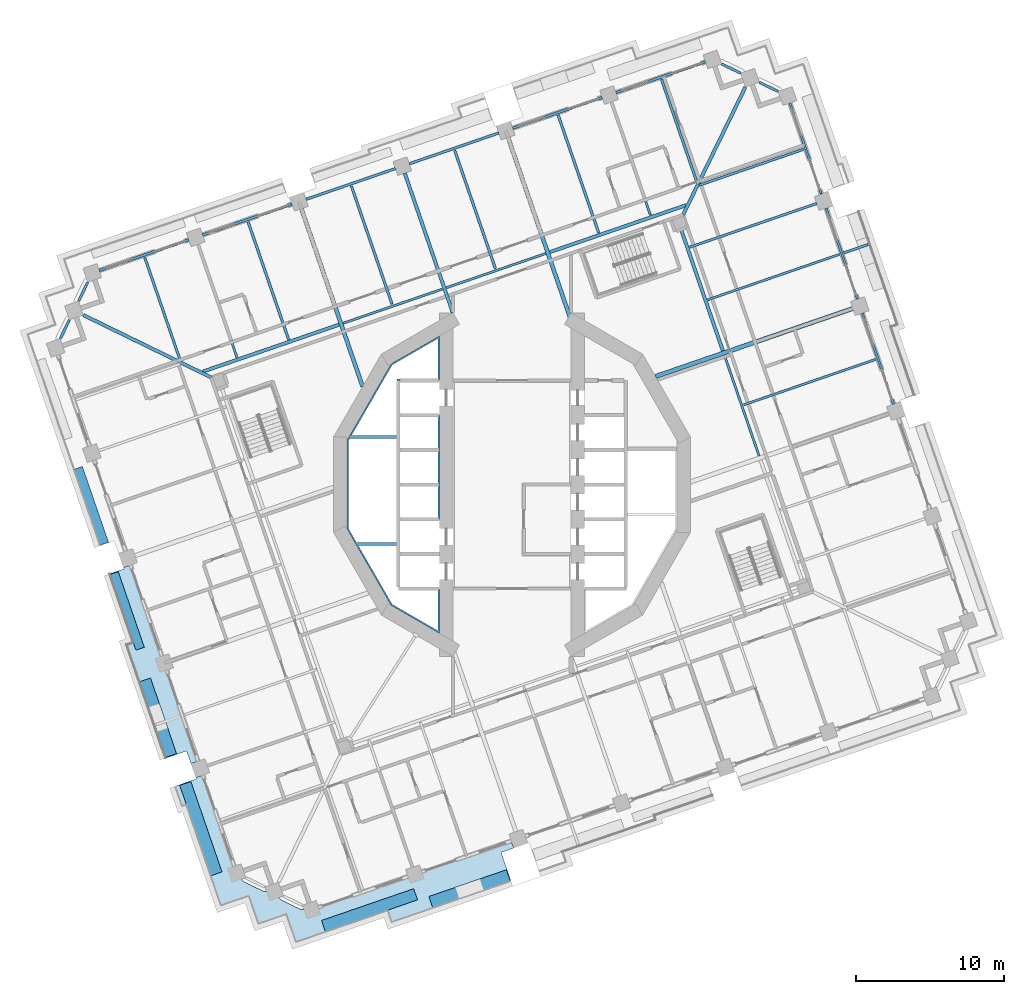
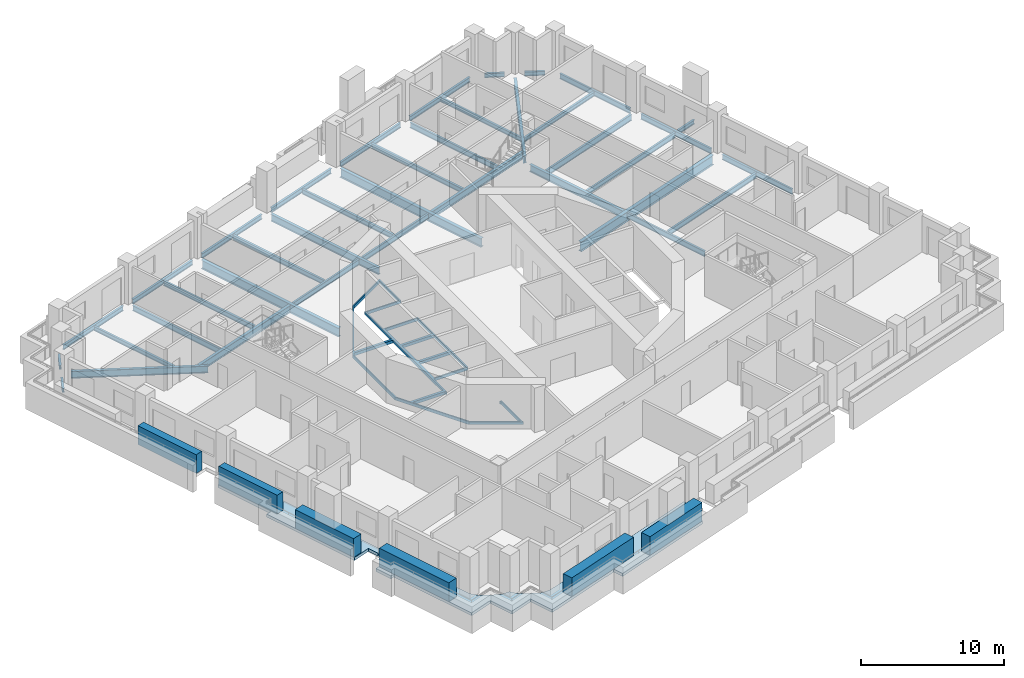
# One storey, part 2 of 18: 38 beams, 6 plates, 3 slabs.
"""IFC4 building model written with IfcOpenShell, lengths in metres."""

from ifc_helpers import new_model, si_unit, direction, frame, origin, origin_2d, place, context, subcontext, project, spatial, polyline, rectangle, i_section, outline, extrude, material, layer, layer_set, material_profile, profile_set, type_object, element, save


model = new_model("IFC4")

# Units and contexts
model_context = context("Model", 3, precision=1e-05, world=origin(), true_north=direction((0.0, 1.0)))
body_context = subcontext(model_context, "Body", "Model", "MODEL_VIEW")
ifc_project = project(units=[si_unit("LENGTHUNIT", "METRE"), si_unit("AREAUNIT", "SQUARE_METRE"), si_unit("VOLUMEUNIT", "CUBIC_METRE"), si_unit("PLANEANGLEUNIT", "RADIAN"), si_unit("MASSUNIT", "GRAM", prefix="KILO")], contexts=[model_context])

# Site, building, storey
site_placement = place(None, origin())
site = spatial("IfcSite", under=ifc_project, at=site_placement, CompositionType="ELEMENT")
building_placement = place(site_placement, origin())
building = spatial("IfcBuilding", under=site, at=building_placement, Name="Cantera Rosa Tower", CompositionType="ELEMENT")
storey_placement = place(building_placement, frame((0.0, 0.0, 134.5)))
storey = spatial("IfcBuildingStorey", under=building, at=storey_placement, Name="L28", CompositionType="ELEMENT", Elevation=134.5)

# Beams
ifc_material_1 = material(Name="Steel ASTM A992 (Fy 345 MPa)", Category="steel")
ifc_material_profile_1 = material_profile(ifc_material_1, i_section(OverallWidth=0.154052734375, OverallDepth=0.4599609375, WebThickness=0.009033203125, FlangeThickness=0.015380859375, FilletRadius=0.01025390625, at=origin_2d()), Name="W460X68")
ifc_profile_set_1 = profile_set([ifc_material_profile_1], Name="Steel ASTM A992 (Fy 345 MPa)")
beam_type_1 = type_object("IfcBeamType", Name="STEEL BEAM W460X68", PredefinedType="BEAM", material=ifc_profile_set_1)
for number, where, z_axis, x_axis, name in (
    (1, (6.7333984375, 25.903564453125, -0.47998046875), (0.325580085327, -0.945514467387, 0.0), (0.945514467387, 0.325580085327, 0.0), "G-Z2-05 L28"),
    (2, (-21.25390625, 16.2666015625, -0.47998046875), (0.325580085327, -0.945514467387, 0.0), (0.945514467387, 0.325580085327, 0.0), "G-Z2-09 L28"),
):
    element("IfcBeam", number, at=place(storey_placement, frame(where, z_axis=z_axis, x_axis=x_axis)), inside=storey, type_object=beam_type_1, Name=name, PredefinedType="BEAM", context=body_context, shape_type="SweptSolid", body=[
        extrude(i_section(OverallWidth=0.154052734375, OverallDepth=0.4599609375, WebThickness=0.009033203125, FlangeThickness=0.015380859375, FilletRadius=0.01025390625, at=origin_2d()), origin(), (0.0, 0.0, 1.0), 8.10009765625),
    ])
beam_1_placement = place(storey_placement, frame((-11.42919921875, 10.924072265625, -0.47998046875), z_axis=(0.945518325606, 0.32556888049, 0.0), x_axis=(-0.32556888049, 0.945518325606, 0.0)))
element("IfcBeam", 3, at=beam_1_placement, inside=storey, type_object=beam_type_1, Name="RB-Z2-02 L28", PredefinedType="BEAM", context=body_context, shape_type="SweptSolid", body=[
    extrude(i_section(OverallWidth=0.154052734375, OverallDepth=0.4599609375, WebThickness=0.009033203125, FlangeThickness=0.015380859375, FilletRadius=0.01025390625, at=origin_2d()), origin(), (0.0, 0.0, 1.0), 7.099853515625),
])
beam_2_placement = place(storey_placement, frame((-4.432373046875, 13.333251953125, -0.47998046875), z_axis=(0.945507740063, 0.325599621437, 0.0), x_axis=(-0.325599621437, 0.945507740063, 0.0)))
element("IfcBeam", 4, at=beam_2_placement, inside=storey, type_object=beam_type_1, Name="RB-Z2-03 L28", PredefinedType="BEAM", context=body_context, shape_type="SweptSolid", body=[
    extrude(i_section(OverallWidth=0.154052734375, OverallDepth=0.4599609375, WebThickness=0.009033203125, FlangeThickness=0.015380859375, FilletRadius=0.01025390625, at=origin_2d()), origin(), (0.0, 0.0, 1.0), 7.10009765625),
])
beam_3_placement = place(storey_placement, frame((16.72900390625, 1.9423828125, -0.47998046875), z_axis=(-0.325575881702, 0.94551591486, 0.0), x_axis=(-0.94551591486, -0.325575881702, 0.0)))
element("IfcBeam", 5, at=beam_3_placement, inside=storey, type_object=beam_type_1, Name="RB-Z2-10 L28", PredefinedType="BEAM", context=body_context, shape_type="SweptSolid", body=[
    extrude(i_section(OverallWidth=0.154052734375, OverallDepth=0.4599609375, WebThickness=0.009033203125, FlangeThickness=0.015380859375, FilletRadius=0.01025390625, at=origin_2d()), origin(), (0.0, 0.0, 1.0), 7.2197265625),
])
ifc_material_2 = material(Name="Steel ASTM A992 (Fy 345 MPa)", Category="steel")
ifc_material_profile_2 = material_profile(ifc_material_2, i_section(OverallWidth=0.166015625, OverallDepth=0.528076171875, WebThickness=0.009765625, FlangeThickness=0.013671875, FilletRadius=0.0126953125, at=origin_2d()), Name="W530X74")
ifc_profile_set_2 = profile_set([ifc_material_profile_2], Name="Steel ASTM A992 (Fy 345 MPa)")
beam_type_2 = type_object("IfcBeamType", Name="STEEL BEAM W530X74", PredefinedType="BEAM", material=ifc_profile_set_2)
beam_4_placement = place(storey_placement, frame((20.62744140625, 19.032470703125, -0.513916015625), z_axis=(-0.94551971591, -0.325564842737, 0.0), x_axis=(0.325564842737, -0.94551971591, 0.0)))
element("IfcBeam", 6, at=beam_4_placement, inside=storey, type_object=beam_type_2, Name="G-Z2-04 L28", PredefinedType="BEAM", context=body_context, shape_type="SweptSolid", body=[
    extrude(i_section(OverallWidth=0.166015625, OverallDepth=0.528076171875, WebThickness=0.009765625, FlangeThickness=0.013671875, FilletRadius=0.0126953125, at=origin_2d()), origin(), (0.0, 0.0, 1.0), 9.10009765625),
])
ifc_material_3 = material(Name="Steel ASTM A992 (Fy 345 MPa)", Category="steel")
ifc_material_profile_3 = material_profile(ifc_material_3, i_section(OverallWidth=0.22802734375, OverallDepth=0.60205078125, WebThickness=0.010498046875, FlangeThickness=0.014892578125, FilletRadius=0.0126953125, at=origin_2d()), Name="W610X101")
ifc_profile_set_3 = profile_set([ifc_material_profile_3], Name="Steel ASTM A992 (Fy 345 MPa)")
beam_type_3 = type_object("IfcBeamType", Name="STEEL BEAM W610X101", PredefinedType="BEAM", material=ifc_profile_set_3)
beam_5_placement = place(storey_placement, frame((15.7998046875, 26.909912109375, -0.551025390625), z_axis=(-0.438387618569, -0.898786012288, 0.0), x_axis=(0.898786012288, -0.438387618569, 0.0)))
element("IfcBeam", 7, at=beam_5_placement, inside=storey, type_object=beam_type_3, Name="CB-Z2-01 L28", PredefinedType="BEAM", context=body_context, shape_type="SweptSolid", body=[
    extrude(i_section(OverallWidth=0.22802734375, OverallDepth=0.60205078125, WebThickness=0.010498046875, FlangeThickness=0.014892578125, FilletRadius=0.0126953125, at=origin_2d()), origin(), (0.0, 0.0, 1.0), 9.61669921875),
])
beam_6_placement = place(storey_placement, frame((-29.017822265625, 11.47802734375, -0.551025390625), z_axis=(0.898796015179, -0.438367109965, 0.0), x_axis=(0.438367109965, 0.898796015179, 0.0)))
element("IfcBeam", 8, at=beam_6_placement, inside=storey, type_object=beam_type_3, Name="CB-Z2-02 L28", PredefinedType="BEAM", context=body_context, shape_type="SweptSolid", body=[
    extrude(i_section(OverallWidth=0.22802734375, OverallDepth=0.60205078125, WebThickness=0.010498046875, FlangeThickness=0.014892578125, FilletRadius=0.0126953125, at=origin_2d()), origin(), (0.0, 0.0, 1.0), 9.616455078125),
])
beam_7_placement = place(storey_placement, frame((-7.26025390625, 21.0849609375, -0.551025390625), z_axis=(0.325587365823, -0.945511960377, 0.0), x_axis=(0.945511960377, 0.325587365823, 0.0)))
element("IfcBeam", 9, at=beam_7_placement, inside=storey, type_object=beam_type_3, Name="G-Z2-07 L28", PredefinedType="BEAM", context=body_context, shape_type="SweptSolid", body=[
    extrude(i_section(OverallWidth=0.22802734375, OverallDepth=0.60205078125, WebThickness=0.010498046875, FlangeThickness=0.014892578125, FilletRadius=0.0126953125, at=origin_2d()), origin(), (0.0, 0.0, 1.0), 10.0),
])
beam_8_placement = place(storey_placement, frame((14.28076171875, 9.052490234375, -0.551025390625), z_axis=(-0.325559468466, 0.945521566381, 0.0), x_axis=(-0.945521566381, -0.325559468466, 0.0)))
element("IfcBeam", 10, at=beam_8_placement, inside=storey, type_object=beam_type_3, Name="RB-Z2-11 L28", PredefinedType="BEAM", context=body_context, shape_type="SweptSolid", body=[
    extrude(i_section(OverallWidth=0.22802734375, OverallDepth=0.60205078125, WebThickness=0.010498046875, FlangeThickness=0.014892578125, FilletRadius=0.0126953125, at=origin_2d()), origin(), (0.0, 0.0, 1.0), 8.68994140625),
])
ifc_material_4 = material(Name="Steel ASTM A992 (Fy 345 MPa)", Category="steel")
ifc_material_profile_4 = material_profile(ifc_material_4, i_section(OverallWidth=0.22900390625, OverallDepth=0.612060546875, WebThickness=0.011962890625, FlangeThickness=0.01953125, FilletRadius=0.0126953125, at=origin_2d()), Name="W610X125")
ifc_profile_set_4 = profile_set([ifc_material_profile_4], Name="Steel ASTM A992 (Fy 345 MPa)")
beam_type_4 = type_object("IfcBeamType", Name="STEEL BEAM W610X125", PredefinedType="BEAM", material=ifc_profile_set_4)
beam_9_placement = place(storey_placement, frame((-20.931640625, 7.652099609375, -0.555908203125), z_axis=(0.945517116269, 0.32557239263, 0.0), x_axis=(-0.32557239263, 0.945517116269, 0.0)))
element("IfcBeam", 11, at=beam_9_placement, inside=storey, type_object=beam_type_4, Name="RB-Z2-01 L28", PredefinedType="BEAM", context=body_context, shape_type="SweptSolid", body=[
    extrude(i_section(OverallWidth=0.22900390625, OverallDepth=0.612060546875, WebThickness=0.011962890625, FlangeThickness=0.01953125, FilletRadius=0.0126953125, at=origin_2d()), origin(), (0.0, 0.0, 1.0), 9.75),
])
beam_10_placement = place(storey_placement, frame((2.564453125, 15.74267578125, -0.555908203125), z_axis=(0.945524824291, 0.325550006372, 0.0), x_axis=(-0.325550006372, 0.945524824291, 0.0)))
element("IfcBeam", 12, at=beam_10_placement, inside=storey, type_object=beam_type_4, Name="RB-Z2-04 L28", PredefinedType="BEAM", context=body_context, shape_type="SweptSolid", body=[
    extrude(i_section(OverallWidth=0.22900390625, OverallDepth=0.612060546875, WebThickness=0.011962890625, FlangeThickness=0.01953125, FilletRadius=0.0126953125, at=origin_2d()), origin(), (0.0, 0.0, 1.0), 9.749755859375),
])
ifc_material_5 = material(Name="Steel ASTM A992 (Fy 345 MPa)", Category="steel")
ifc_material_profile_5 = material_profile(ifc_material_5, i_section(OverallWidth=0.26708984375, OverallDepth=0.75390625, WebThickness=0.01318359375, FlangeThickness=0.01708984375, FilletRadius=0.0166015625, at=origin_2d()), Name="W760X147")
ifc_profile_set_5 = profile_set([ifc_material_profile_5], Name="Steel ASTM A992 (Fy 345 MPa)")
beam_type_5 = type_object("IfcBeamType", Name="STEEL BEAM W760X147", PredefinedType="BEAM", material=ifc_profile_set_5)
beam_11_placement = place(storey_placement, frame((-0.263427734375, 23.494384765625, -0.626953125), z_axis=(0.325569500581, -0.945518112091, 0.0), x_axis=(0.945518112091, 0.325569500581, 0.0)))
element("IfcBeam", 13, at=beam_11_placement, inside=storey, type_object=beam_type_5, Name="G-Z2-06 L28", PredefinedType="BEAM", context=body_context, shape_type="SweptSolid", body=[
    extrude(i_section(OverallWidth=0.26708984375, OverallDepth=0.75390625, WebThickness=0.01318359375, FlangeThickness=0.01708984375, FilletRadius=0.0166015625, at=origin_2d()), origin(), (0.0, 0.0, 1.0), 13.09521484375),
])
beam_12_placement = place(storey_placement, frame((-14.257080078125, 18.67578125, -0.626953125), z_axis=(0.325575880476, -0.945515915282, 0.0), x_axis=(0.945515915282, 0.325575880476, 0.0)))
element("IfcBeam", 14, at=beam_12_placement, inside=storey, type_object=beam_type_5, Name="G-Z2-08 L28", PredefinedType="BEAM", context=body_context, shape_type="SweptSolid", body=[
    extrude(i_section(OverallWidth=0.26708984375, OverallDepth=0.75390625, WebThickness=0.01318359375, FlangeThickness=0.01708984375, FilletRadius=0.0166015625, at=origin_2d()), origin(), (0.0, 0.0, 1.0), 12.734375),
])
ifc_material_6 = material(Name="Steel ASTM A992 (Fy 345 MPa)", Category="steel")
ifc_material_profile_6 = material_profile(ifc_material_6, i_section(OverallWidth=0.2919921875, OverallDepth=0.8359375, WebThickness=0.013916015625, FlangeThickness=0.018798828125, FilletRadius=0.017822265625, at=origin_2d()), Name="W840X176")
ifc_profile_set_6 = profile_set([ifc_material_profile_6], Name="Steel ASTM A992 (Fy 345 MPa)")
beam_type_6 = type_object("IfcBeamType", Name="STEEL BEAM W840X176", PredefinedType="BEAM", material=ifc_profile_set_6)
beam_13_placement = place(storey_placement, frame((23.07568359375, 11.92236328125, -0.66796875), z_axis=(-0.945516836256, -0.325573205833, 0.0), x_axis=(0.325573205833, -0.945516836256, 0.0)))
element("IfcBeam", 15, at=beam_13_placement, inside=storey, type_object=beam_type_6, Name="G-Z2-03 L28", PredefinedType="BEAM", context=body_context, shape_type="SweptSolid", body=[
    extrude(i_section(OverallWidth=0.2919921875, OverallDepth=0.8359375, WebThickness=0.013916015625, FlangeThickness=0.018798828125, FilletRadius=0.017822265625, at=origin_2d()), origin(), (0.0, 0.0, 1.0), 14.130615234375),
])
ifc_material_7 = material(Name="Steel ASTM A992 (Fy 345 MPa)", Category="steel")
ifc_material_profile_7 = material_profile(ifc_material_7, i_section(OverallWidth=0.1708984375, OverallDepth=0.35595703125, WebThickness=0.00732421875, FlangeThickness=0.01171875, FilletRadius=0.010009765625, at=origin_2d()), Name="W360X51")
ifc_profile_set_7 = profile_set([ifc_material_profile_7], Name="Steel ASTM A992 (Fy 345 MPa)")
beam_type_7 = type_object("IfcBeamType", Name="STEEL JOIST W360X51", PredefinedType="JOIST", material=ifc_profile_set_7)
beam_14_placement = place(storey_placement, frame((19.734130859375, 22.70166015625, -0.427978515625), z_axis=(-0.945518264054, -0.32556905925, 0.0), x_axis=(0.32556905925, -0.945518264054, 0.0)))
element("IfcBeam", 16, at=beam_14_placement, inside=storey, type_object=beam_type_7, Name="B-Z2-05 L28", PredefinedType="JOIST", context=body_context, shape_type="SweptSolid", body=[
    extrude(i_section(OverallWidth=0.1708984375, OverallDepth=0.35595703125, WebThickness=0.00732421875, FlangeThickness=0.01171875, FilletRadius=0.010009765625, at=origin_2d()), origin(), (0.0, 0.0, 1.0), 7.4599609375),
])
for number, where, z_axis, x_axis, name in (
    (17, (10.117919921875, 27.43896484375, -0.427978515625), (0.325565645331, -0.945519439557, 0.0), (0.945519439557, 0.325565645331, 0.0), "B-Z2-06 L28"),
    (18, (-24.8662109375, 15.39306640625, -0.427978515625), (0.325565645331, -0.945519439557, 0.0), (0.945519439557, 0.325565645331, 0.0), "B-Z2-11 L28"),
):
    element("IfcBeam", number, at=place(storey_placement, frame(where, z_axis=z_axis, x_axis=x_axis)), inside=storey, type_object=beam_type_7, Name=name, PredefinedType="JOIST", context=body_context, shape_type="SweptSolid", body=[
        extrude(i_section(OverallWidth=0.1708984375, OverallDepth=0.35595703125, WebThickness=0.00732421875, FlangeThickness=0.01171875, FilletRadius=0.010009765625, at=origin_2d()), origin(), (0.0, 0.0, 1.0), 7.39990234375),
    ])
beam_15_placement = place(storey_placement, frame((22.447265625, 15.6826171875, -0.427978515625), z_axis=(0.945557978721, 0.32545369698, 0.0), x_axis=(-0.32545369698, 0.945557978721, 0.0)))
element("IfcBeam", 19, at=beam_15_placement, inside=storey, type_object=beam_type_7, Name="BS-Z2-20 L28", PredefinedType="JOIST", context=body_context, shape_type="SweptSolid", body=[
    extrude(i_section(OverallWidth=0.1708984375, OverallDepth=0.35595703125, WebThickness=0.00732421875, FlangeThickness=0.01171875, FilletRadius=0.010009765625, at=origin_2d()), origin(), (0.0, 0.0, 1.0), 1.751708984375),
])
ifc_material_8 = material(Name="Steel ASTM A992 (Fy 345 MPa)", Category="steel")
ifc_material_profile_8 = material_profile(ifc_material_8, i_section(OverallWidth=0.177978515625, OverallDepth=0.406005859375, WebThickness=0.0078125, FlangeThickness=0.0126953125, FilletRadius=0.01025390625, at=origin_2d()), Name="W410X60")
ifc_profile_set_8 = profile_set([ifc_material_profile_8], Name="Steel ASTM A992 (Fy 345 MPa)")
beam_type_8 = type_object("IfcBeamType", Name="STEEL JOIST W410X60", PredefinedType="JOIST", material=ifc_profile_set_8)
beam_16_placement = place(storey_placement, frame((3.12109375, 25.02978515625, -0.452880859375), z_axis=(0.325565025235, -0.945519653071, 0.0), x_axis=(0.945519653071, 0.325565025235, 0.0)))
element("IfcBeam", 20, at=beam_16_placement, inside=storey, type_object=beam_type_8, Name="B-Z2-07 L28", PredefinedType="JOIST", context=body_context, shape_type="SweptSolid", body=[
    extrude(i_section(OverallWidth=0.177978515625, OverallDepth=0.406005859375, WebThickness=0.0078125, FlangeThickness=0.0126953125, FilletRadius=0.01025390625, at=origin_2d()), origin(), (0.0, 0.0, 1.0), 8.449951171875),
])
for number, where, z_axis, x_axis, name in (
    (21, (-3.875732421875, 22.62060546875, -0.452880859375), (0.325556131421, -0.945522715377, 0.0), (0.945522715377, 0.325556131421, 0.0), "B-Z2-08 L28"),
    (22, (-10.87255859375, 20.21142578125, -0.452880859375), (0.325556131421, -0.945522715377, 0.0), (0.945522715377, 0.325556131421, 0.0), "B-Z2-09 L28"),
    (23, (-17.869384765625, 17.80224609375, -0.452880859375), (0.325556131421, -0.945522715377, 0.0), (0.945522715377, 0.325556131421, 0.0), "B-Z2-10 L28"),
):
    element("IfcBeam", number, at=place(storey_placement, frame(where, z_axis=z_axis, x_axis=x_axis)), inside=storey, type_object=beam_type_8, Name=name, PredefinedType="JOIST", context=body_context, shape_type="SweptSolid", body=[
        extrude(i_section(OverallWidth=0.177978515625, OverallDepth=0.406005859375, WebThickness=0.0078125, FlangeThickness=0.0126953125, FilletRadius=0.01025390625, at=origin_2d()), origin(), (0.0, 0.0, 1.0), 8.4501953125),
    ])
ifc_material_9 = material(Name="Steel ASTM A992 (Fy 345 MPa)", Category="steel")
ifc_material_profile_9 = material_profile(ifc_material_9, i_section(OverallWidth=0.154052734375, OverallDepth=0.4599609375, WebThickness=0.009033203125, FlangeThickness=0.015380859375, FilletRadius=0.01025390625, at=origin_2d()), Name="W460X68")
ifc_profile_set_9 = profile_set([ifc_material_profile_9], Name="Steel ASTM A992 (Fy 345 MPa)")
beam_type_9 = type_object("IfcBeamType", Name="STEEL JOIST W460X68", PredefinedType="JOIST", material=ifc_profile_set_9)
beam_17_placement = place(storey_placement, frame((24.630859375, 8.48095703125, -0.47998046875), z_axis=(-0.945526896389, -0.325543988125, 0.0), x_axis=(0.325543988125, -0.945526896389, 0.0)))
element("IfcBeam", 24, at=beam_17_placement, inside=storey, type_object=beam_type_9, Name="B-Z2-03 L28", PredefinedType="JOIST", context=body_context, shape_type="SweptSolid", body=[
    extrude(i_section(OverallWidth=0.154052734375, OverallDepth=0.4599609375, WebThickness=0.009033203125, FlangeThickness=0.015380859375, FilletRadius=0.01025390625, at=origin_2d()), origin(), (0.0, 0.0, 1.0), 9.4501953125),
])
beam_18_placement = place(storey_placement, frame((22.182373046875, 15.59130859375, -0.47998046875), z_axis=(-0.94551620555, -0.325575037498, 0.0), x_axis=(0.325575037498, -0.94551620555, 0.0)))
element("IfcBeam", 25, at=beam_18_placement, inside=storey, type_object=beam_type_9, Name="B-Z2-04 L28", PredefinedType="JOIST", context=body_context, shape_type="SweptSolid", body=[
    extrude(i_section(OverallWidth=0.154052734375, OverallDepth=0.4599609375, WebThickness=0.009033203125, FlangeThickness=0.015380859375, FilletRadius=0.01025390625, at=origin_2d()), origin(), (0.0, 0.0, 1.0), 9.449951171875),
])
ifc_material_10 = material(Name="Steel ASTM A992 (Fy 345 MPa)", Category="steel")
ifc_material_profile_10 = material_profile(ifc_material_10, i_section(OverallWidth=0.1708984375, OverallDepth=0.35595703125, WebThickness=0.00732421875, FlangeThickness=0.01171875, FilletRadius=0.010009765625, at=origin_2d()), Name="W360X51")
ifc_profile_set_10 = profile_set([ifc_material_profile_10], Name="Steel ASTM A992 (Fy 345 MPa)")
beam_type_10 = type_object("IfcBeamType", Name="STEEL SPANDREL BEAM W360X51", PredefinedType="SPANDREL", material=ifc_profile_set_10)
for number, where, z_axis, x_axis, name in (
    (26, (18.016357421875, 26.61572265625, -0.427978515625), (-0.898803287583, 0.438352198842, 0.0), (-0.438352198842, -0.898803287583, 0.0), "EB-Z2-06 L28"),
    (27, (15.47412109375, 27.85546875, -0.427978515625), (-0.898803287583, 0.438352198842, 0.0), (-0.438352198842, -0.898803287583, 0.0), "EB-Z2-07 L28"),
):
    element("IfcBeam", number, at=place(storey_placement, frame(where, z_axis=z_axis, x_axis=x_axis)), inside=storey, type_object=beam_type_10, Name=name, PredefinedType="SPANDREL", context=body_context, shape_type="SweptSolid", body=[
        extrude(i_section(OverallWidth=0.1708984375, OverallDepth=0.35595703125, WebThickness=0.00732421875, FlangeThickness=0.01171875, FilletRadius=0.010009765625, at=origin_2d()), origin(), (0.0, 0.0, 1.0), 1.4140625),
    ])
for number, where, z_axis, x_axis, name in (
    (28, (-28.723388671875, 13.694580078125, -0.427978515625), (-0.438491655897, -0.898735260079, 0.0), (0.898735260079, -0.438491655897, 0.0), "EB-Z2-14 L28"),
    (29, (-29.96337890625, 11.152587890625, -0.427978515625), (-0.438284186308, -0.898836454552, 0.0), (0.898836454552, -0.438284186308, 0.0), "EB-Z2-15 L28"),
):
    element("IfcBeam", number, at=place(storey_placement, frame(where, z_axis=z_axis, x_axis=x_axis)), inside=storey, type_object=beam_type_10, Name=name, PredefinedType="SPANDREL", context=body_context, shape_type="SweptSolid", body=[
        extrude(i_section(OverallWidth=0.1708984375, OverallDepth=0.35595703125, WebThickness=0.00732421875, FlangeThickness=0.01171875, FilletRadius=0.010009765625, at=origin_2d()), origin(), (0.0, 0.0, 1.0), 1.414306640625),
    ])
ifc_material_11 = material(Name="Steel ASTM A992 (Fy 345 MPa)", Category="steel")
ifc_material_profile_11 = material_profile(ifc_material_11, i_section(OverallWidth=0.177978515625, OverallDepth=0.406005859375, WebThickness=0.0078125, FlangeThickness=0.0126953125, FilletRadius=0.01025390625, at=origin_2d()), Name="W410X60")
ifc_profile_set_11 = profile_set([ifc_material_profile_11], Name="Steel ASTM A992 (Fy 345 MPa)")
beam_type_11 = type_object("IfcBeamType", Name="STEEL SPANDREL BEAM W410X60", PredefinedType="SPANDREL", material=ifc_profile_set_11)
for number, where, z_axis, x_axis, name in (
    (30, (13.0947265625, 28.62255859375, -0.452880859375), (-0.945524496524, -0.325550958337, 0.0), (0.325550958337, -0.945524496524, 0.0), "EB-Z2-08 L28"),
    (31, (6.097900390625, 26.21337890625, -0.452880859375), (-0.945524496524, -0.325550958337, 0.0), (0.325550958337, -0.945524496524, 0.0), "EB-Z2-09 L28"),
    (32, (-0.89892578125, 23.80419921875, -0.452880859375), (-0.945524496524, -0.325550958337, 0.0), (0.325550958337, -0.945524496524, 0.0), "EB-Z2-10 L28"),
    (33, (-7.895751953125, 21.39501953125, -0.452880859375), (-0.945524496524, -0.325550958337, 0.0), (0.325550958337, -0.945524496524, 0.0), "EB-Z2-11 L28"),
    (34, (-14.892578125, 18.98583984375, -0.452880859375), (-0.945512753621, -0.325585062219, 0.0), (0.325585062219, -0.945512753621, 0.0), "EB-Z2-12 L28"),
    (35, (-21.889404296875, 16.57666015625, -0.452880859375), (-0.945512753621, -0.325585062219, 0.0), (0.325585062219, -0.945512753621, 0.0), "EB-Z2-13 L28"),
):
    element("IfcBeam", number, at=place(storey_placement, frame(where, z_axis=z_axis, x_axis=x_axis)), inside=storey, type_object=beam_type_11, Name=name, PredefinedType="SPANDREL", context=body_context, shape_type="SweptSolid", body=[
        extrude(i_section(OverallWidth=0.177978515625, OverallDepth=0.406005859375, WebThickness=0.0078125, FlangeThickness=0.0126953125, FilletRadius=0.01025390625, at=origin_2d()), origin(), (0.0, 0.0, 1.0), 6.39990234375),
    ])
ifc_material_12 = material(Name="Steel ASTM A992 (Fy 345 MPa)", Category="steel")
ifc_material_profile_12 = material_profile(ifc_material_12, i_section(OverallWidth=0.154052734375, OverallDepth=0.4599609375, WebThickness=0.009033203125, FlangeThickness=0.015380859375, FilletRadius=0.01025390625, at=origin_2d()), Name="W460X68")
ifc_profile_set_12 = profile_set([ifc_material_profile_12], Name="Steel ASTM A992 (Fy 345 MPa)")
beam_type_12 = type_object("IfcBeamType", Name="STEEL SPANDREL BEAM W460X68", PredefinedType="SPANDREL", material=ifc_profile_set_12)
for number, where, z_axis, x_axis, name in (
    (36, (25.833984375, 5.447509765625, -0.47998046875), (-0.325580990241, 0.945514155787, 0.0), (-0.945514155787, -0.325580990241, 0.0), "EB-Z2-03 L28"),
    (37, (23.3857421875, 12.557861328125, -0.47998046875), (-0.325580990241, 0.945514155787, 0.0), (-0.945514155787, -0.325580990241, 0.0), "EB-Z2-04 L28"),
):
    element("IfcBeam", number, at=place(storey_placement, frame(where, z_axis=z_axis, x_axis=x_axis)), inside=storey, type_object=beam_type_12, Name=name, PredefinedType="SPANDREL", context=body_context, shape_type="SweptSolid", body=[
        extrude(i_section(OverallWidth=0.154052734375, OverallDepth=0.4599609375, WebThickness=0.009033203125, FlangeThickness=0.015380859375, FilletRadius=0.01025390625, at=origin_2d()), origin(), (0.0, 0.0, 1.0), 6.52001953125),
    ])
beam_19_placement = place(storey_placement, frame((20.9375, 19.668212890625, -0.47998046875), z_axis=(-0.325592517631, 0.945510186335, 0.0), x_axis=(-0.945510186335, -0.325592517631, 0.0)))
element("IfcBeam", 38, at=beam_19_placement, inside=storey, type_object=beam_type_12, Name="EB-Z2-05 L28", PredefinedType="SPANDREL", context=body_context, shape_type="SweptSolid", body=[
    extrude(i_section(OverallWidth=0.154052734375, OverallDepth=0.4599609375, WebThickness=0.009033203125, FlangeThickness=0.015380859375, FilletRadius=0.01025390625, at=origin_2d()), origin(), (0.0, 0.0, 1.0), 6.519775390625),
])

# Slabs
ifc_material_13 = material(Name="Concrete C35/45", Category="concrete")
ifc_layer_1 = layer(ifc_material_13, 0.25)
ifc_layer_set_1 = layer_set([ifc_layer_1], Name="COMPOSITE FLOOR SLAB 250 C35/45")
slab_type_1 = type_object("IfcSlabType", Name="COMPOSITE FLOOR SLAB 250 C35/45", PredefinedType="FLOOR", material=ifc_layer_set_1)
slab_1_placement = place(storey_placement, frame((0.0, 0.0, -0.25)))
element("IfcSlab", 39, at=slab_1_placement, inside=storey, type_object=slab_type_1, Name="SLAB L28 floor 1", PredefinedType="FLOOR", context=body_context, shape_type="SweptSolid", body=[
    extrude(outline(polyline([(-5.0, -9.900390625), (-5.0, -7.14990234375), (-5.0927734375, -7.050048828125), (-4.89990234375, -7.050048828125), (-4.89990234375, -10.07373046875), (-8.179931640625, -8.179931640625), (-11.174072265625, -2.994140625), (-11.174072265625, 2.994140625), (-8.179931640625, 8.179931640625), (-4.89990234375, 10.07373046875), (-4.89990234375, 7.050048828125), (-7.699951171875, 7.050048828125), (-7.699951171875, 4.699951171875), (-4.89990234375, 4.699951171875), (-4.89990234375, -2.35009765625), (-7.699951171875, -2.35009765625), (-7.699951171875, -4.2373046875), (-7.800048828125, -4.12939453125), (-10.403076171875, -4.12939453125), (-8.106689453125, -8.106689453125), (-5.0, -9.900390625)]), holes=[polyline([(-5.0, -2.25), (-5.0, -0.10009765625), (-7.60009765625, -0.10009765625), (-7.60009765625, -2.25), (-5.0, -2.25)]), polyline([(-10.5185546875, -3.929443359375), (-7.800048828125, -3.929443359375), (-7.800048828125, -2.449951171875), (-7.800048828125, -2.25), (-7.800048828125, 2.25), (-7.800048828125, 2.449951171875), (-7.800048828125, 3.12353515625), (-10.98388671875, 3.12353515625), (-11.07421875, 2.96728515625), (-11.07421875, -2.96728515625), (-10.5185546875, -3.929443359375)]), polyline([(-5.0, 2.25), (-7.60009765625, 2.25), (-7.60009765625, 0.10009765625), (-5.0, 0.10009765625), (-5.0, 2.25)]), polyline([(-5.0, 4.60009765625), (-7.60009765625, 4.60009765625), (-7.60009765625, 2.449951171875), (-5.0, 2.449951171875), (-5.0, 4.60009765625)]), polyline([(-7.800048828125, 7.14990234375), (-5.0, 7.14990234375), (-5.0, 9.900390625), (-8.106689453125, 8.106689453125), (-10.868408203125, 3.323486328125), (-7.800048828125, 3.323486328125), (-7.800048828125, 7.14990234375)])]), origin(), (0.0, 0.0, 1.0), 0.25),
])
ifc_material_14 = material(Name="Concrete C35/45", Category="concrete")
ifc_layer_2 = layer(ifc_material_14, 0.25)
ifc_layer_set_2 = layer_set([ifc_layer_2], Name="LOGGIA SLAB 250 C35/45")
slab_type_2 = type_object("IfcSlabType", Name="LOGGIA SLAB 250 C35/45", PredefinedType="FLOOR", material=ifc_layer_set_2)
slab_2_placement = place(storey_placement, frame((0.0, 0.0, -0.25)))
element("IfcSlab", 40, at=slab_2_placement, inside=storey, type_object=slab_type_2, Name="LOGGIA SLAB L28 2", PredefinedType="FLOOR", context=body_context, shape_type="SweptSolid", body=[
    extrude(outline(polyline([(-25.833984375, -5.447509765625), (-21.262939453125, -18.72265625), (-21.735595703125, -18.885498046875), (-22.02880859375, -18.034423828125), (-23.448486328125, -18.523193359375), (-26.0927734375, -10.843994140625), (-25.639892578125, -10.688232421875), (-27.2412109375, -6.037841796875), (-26.274169921875, -5.704833984375), (-26.306640625, -5.6103515625), (-25.833984375, -5.447509765625)])), origin(), (0.0, 0.0, 1.0), 0.25),
])
slab_3_placement = place(storey_placement, frame((0.0, 0.0, -0.25)))
element("IfcSlab", 41, at=slab_3_placement, inside=storey, type_object=slab_type_2, Name="LOGGIA SLAB L28 3", PredefinedType="FLOOR", context=body_context, shape_type="SweptSolid", body=[
    extrude(outline(polyline([(-15.1748046875, -29.3388671875), (-15.272705078125, -29.05517578125), (-15.556396484375, -29.15283203125), (-17.16357421875, -29.706298828125), (-17.717041015625, -28.09912109375), (-17.814697265625, -27.815185546875), (-18.098388671875, -27.9130859375), (-19.705810546875, -28.466552734375), (-20.25927734375, -26.859130859375), (-22.055908203125, -21.641357421875), (-22.341064453125, -21.739501953125), (-22.79736328125, -20.414306640625), (-21.377685546875, -19.92529296875), (-21.41015625, -19.830810546875), (-20.9375, -19.668212890625), (-18.948974609375, -25.443115234375), (-18.65185546875, -26.3056640625), (-18.240966796875, -26.814453125), (-18.220458984375, -26.83544921875), (-18.197998046875, -26.8544921875), (-18.173583984375, -26.87109375), (-18.14794921875, -26.88525390625), (-16.876708984375, -27.505126953125), (-16.849609375, -27.516845703125), (-16.82177734375, -27.525634765625), (-16.79296875, -27.53173828125), (-16.763671875, -27.534912109375), (-16.109619140625, -27.54541015625), (-15.698974609375, -28.05419921875), (-15.67822265625, -28.075439453125), (-15.65576171875, -28.09423828125), (-15.631591796875, -28.111083984375), (-15.605712890625, -28.125), (-14.334716796875, -28.7451171875), (-14.3076171875, -28.756591796875), (-14.279541015625, -28.765625), (-14.250732421875, -28.771728515625), (-14.221435546875, -28.77490234375), (-13.567626953125, -28.785400390625), (-0.046630859375, -24.1298828125), (0.1162109375, -24.6025390625), (-0.73486328125, -24.8955078125), (-0.0732421875, -26.81689453125), (-8.140380859375, -29.594482421875), (-8.411376953125, -28.807861328125), (-13.01416015625, -30.392822265625), (-14.62158203125, -30.9462890625), (-15.1748046875, -29.3388671875)])), origin(), (0.0, 0.0, 1.0), 0.25),
])

# Plates
ifc_material_15 = material(Name="Cantera stone planter with soil", Category="masonry")
plate_type_1 = type_object("IfcPlateType", Name="PLANTER 600", PredefinedType="USERDEFINED", material=ifc_material_15)
for number, where, z_axis, x_axis, name in (
    (42, (-28.485595703125, -1.43212890625, 0.0), (0.0, 0.0, 1.0), (0.325568154457, -0.945518575599, 0.0), "PLANTER L28-13"),
    (43, (-26.05908203125, -8.5498046875, 0.0), (0.0, 0.0, 1.0), (0.325568154457, -0.945518575599, 0.0), "PLANTER L28-14"),
):
    element("IfcPlate", number, at=place(storey_placement, frame(where, z_axis=z_axis, x_axis=x_axis)), inside=storey, type_object=plate_type_1, Name=name, ObjectType="PLANTER", PredefinedType="USERDEFINED", context=body_context, shape_type="SweptSolid", body=[
        extrude(rectangle(XDim=5.419921875, YDim=0.60009765625, at=origin_2d()), origin(), (0.0, 0.0, 1.0), 1.60009765625),
    ])
ifc_material_16 = material(Name="Cantera stone planter with soil", Category="masonry")
plate_type_2 = type_object("IfcPlateType", Name="PLANTER 800", PredefinedType="USERDEFINED", material=ifc_material_16)
plate_1_placement = place(storey_placement, frame((-23.968994140625, -15.783447265625, 0.0), z_axis=(0.0, 0.0, 1.0), x_axis=(0.325568154457, -0.945518575599, 0.0)))
element("IfcPlate", 44, at=plate_1_placement, inside=storey, type_object=plate_type_2, Name="PLANTER L28-15", ObjectType="PLANTER", PredefinedType="USERDEFINED", context=body_context, shape_type="SweptSolid", body=[
    extrude(rectangle(XDim=5.419921875, YDim=0.800048828125, at=origin_2d()), origin(), (0.0, 0.0, 1.0), 1.60009765625),
])
plate_2_placement = place(storey_placement, frame((-21.064453125, -23.2919921875, 0.0), z_axis=(0.0, 0.0, 1.0), x_axis=(0.325568154457, -0.945518575599, 0.0)))
element("IfcPlate", 45, at=plate_2_placement, inside=storey, type_object=plate_type_2, Name="PLANTER L28-16", ObjectType="PLANTER", PredefinedType="USERDEFINED", context=body_context, shape_type="SweptSolid", body=[
    extrude(rectangle(XDim=6.469970703125, YDim=0.800048828125, at=origin_2d()), origin(), (0.0, 0.0, 1.0), 1.60009765625),
])
plate_3_placement = place(storey_placement, frame((-9.64599609375, -28.81005859375, 0.0), z_axis=(0.0, 0.0, 1.0), x_axis=(0.945518575599, 0.325568154457, 0.0)))
element("IfcPlate", 46, at=plate_3_placement, inside=storey, type_object=plate_type_2, Name="PLANTER L28-17", ObjectType="PLANTER", PredefinedType="USERDEFINED", context=body_context, shape_type="SweptSolid", body=[
    extrude(rectangle(XDim=6.60009765625, YDim=0.800048828125, at=origin_2d()), origin(), (0.0, 0.0, 1.0), 1.60009765625),
])
plate_4_placement = place(storey_placement, frame((-2.87451171875, -27.3583984375, 0.0), z_axis=(0.0, 0.0, 1.0), x_axis=(0.945518575599, 0.325568154457, 0.0)))
element("IfcPlate", 47, at=plate_4_placement, inside=storey, type_object=plate_type_2, Name="PLANTER L28-18", ObjectType="PLANTER", PredefinedType="USERDEFINED", context=body_context, shape_type="SweptSolid", body=[
    extrude(rectangle(XDim=5.550048828125, YDim=0.800048828125, at=origin_2d()), origin(), (0.0, 0.0, 1.0), 1.60009765625),
])

save(model, "model.ifc")
